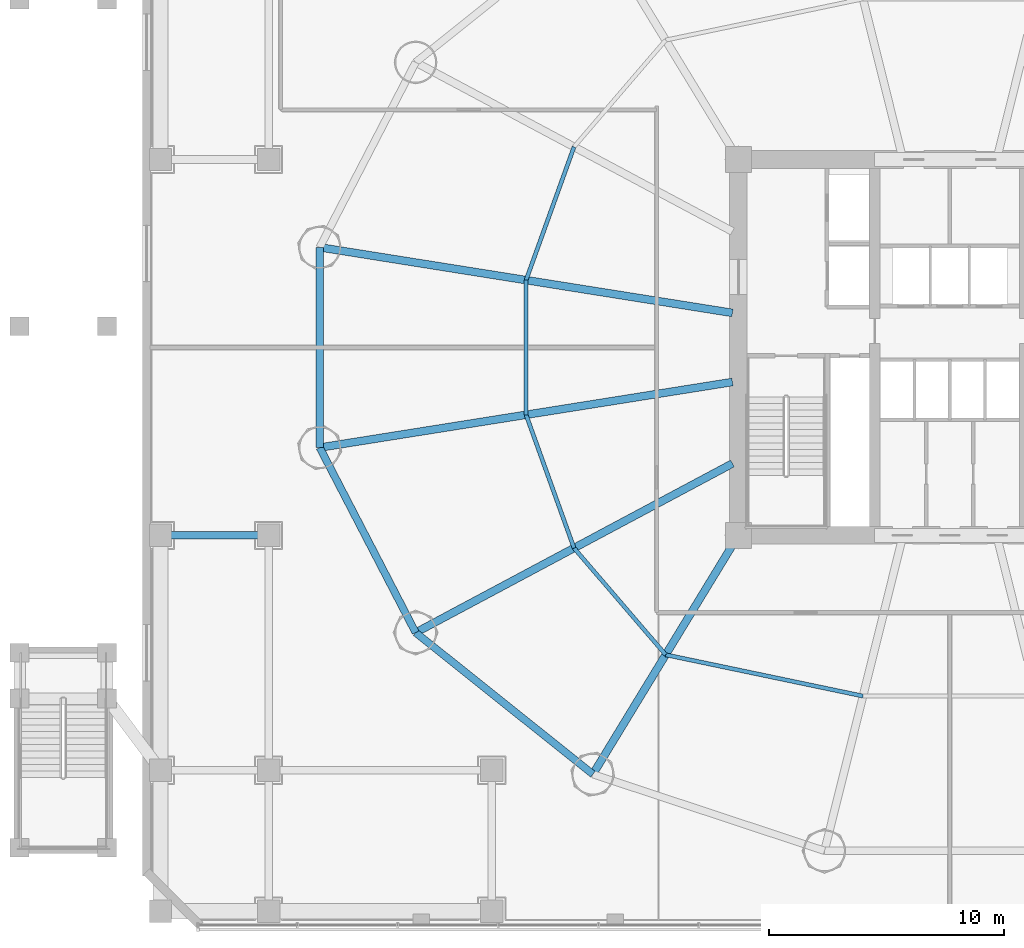
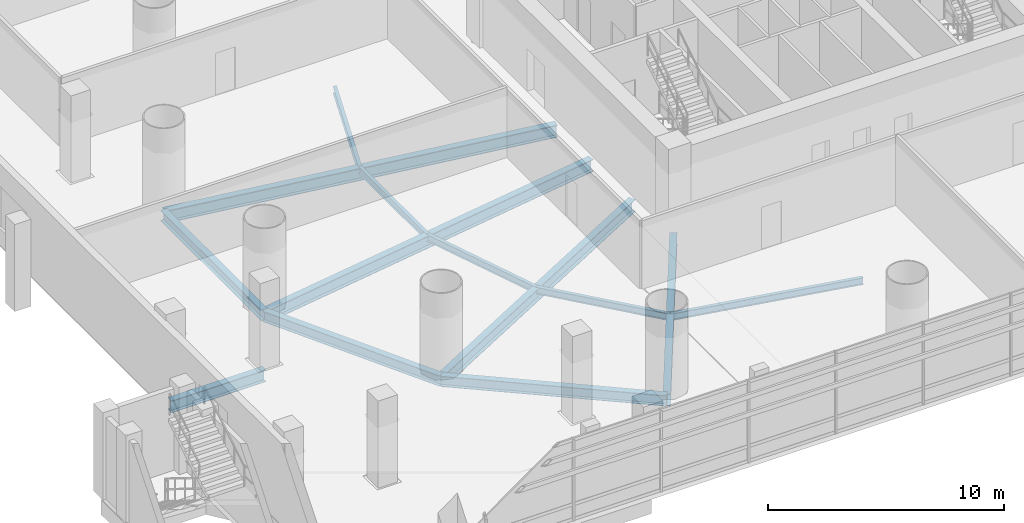
# One storey, part 5 of 36: 13 beams.
"""IFC4 building model written with IfcOpenShell, lengths in metres."""

from ifc_helpers import new_model, si_unit, direction, frame, origin, origin_2d, place, context, subcontext, project, spatial, i_section, extrude, material, material_profile, profile_set, type_object, element, save


model = new_model("IFC4")

# Units and contexts
model_context = context("Model", 3, precision=1e-05, world=origin(), true_north=direction((-0.2419218956, 0.970295726276)))
body_context = subcontext(model_context, "Body", "Model", "MODEL_VIEW")
ifc_project = project(units=[si_unit("LENGTHUNIT", "METRE"), si_unit("AREAUNIT", "SQUARE_METRE"), si_unit("VOLUMEUNIT", "CUBIC_METRE"), si_unit("PLANEANGLEUNIT", "RADIAN"), si_unit("MASSUNIT", "GRAM", prefix="KILO")], contexts=[model_context])

# Site, building, storey
site_placement = place(None, origin())
site = spatial("IfcSite", under=ifc_project, at=site_placement, CompositionType="ELEMENT")
building_placement = place(site_placement, origin())
building = spatial("IfcBuilding", under=site, at=building_placement, Name="Cobrevalo Terracotta Tower", CompositionType="ELEMENT")
storey_placement = place(building_placement, frame((0.0, 0.0, 9.89990234375)))
storey = spatial("IfcBuildingStorey", under=building, at=storey_placement, Name="L02", CompositionType="ELEMENT", Elevation=9.89990234375)

# Beams
ifc_material = material(Name="Steel S355", Category="steel")
ifc_material_profile_1 = material_profile(ifc_material, i_section(OverallWidth=0.324951171875, OverallDepth=0.615966796875, WebThickness=0.013916015625, FlangeThickness=0.021484375, at=origin_2d()), Name="W 610x174")
ifc_profile_set_1 = profile_set([ifc_material_profile_1], Name="Steel S355")
beam_type_1 = type_object("IfcBeamType", Name="Structural Beam W 610x174 (Steel S355)", PredefinedType="BEAM", material=ifc_profile_set_1)
beam_1_placement = place(storey_placement, frame((4.39990234375, 18.800048828125, -0.60791015625), z_axis=(1.0, 0.0, 0.0), x_axis=(0.0, 1.0, 0.0)))
element("IfcBeam", 1, at=beam_1_placement, inside=storey, type_object=beam_type_1, Name="L02 podium grid beam G1-GC to G2-GC", PredefinedType="BEAM", context=body_context, shape_type="SweptSolid", body=[
    extrude(i_section(OverallWidth=0.324951171875, OverallDepth=0.615966796875, WebThickness=0.013916015625, FlangeThickness=0.021484375, at=origin_2d()), origin(), (0.0, 0.0, 1.0), 4.60009765625),
])
ifc_material_profile_2 = material_profile(ifc_material, i_section(OverallWidth=0.3291015625, OverallDepth=0.635009765625, WebThickness=0.017822265625, FlangeThickness=0.031005859375, at=origin_2d()), Name="W 610x241")
ifc_profile_set_2 = profile_set([ifc_material_profile_2], Name="Steel S355")
beam_type_2 = type_object("IfcBeamType", Name="Structural Beam W 610x241 (Steel S355)", PredefinedType="BEAM", material=ifc_profile_set_2)
for number, where, z_axis, x_axis, name in (
    (2, (11.175537109375, 31.062744140625, -0.617431640625), (0.987607924622, -0.156941349628, 0.0), (0.156941349628, 0.987607924622, 0.0), "L02 radial floor girder 08"),
    (3, (11.175537109375, 22.537353515625, -0.617431640625), (0.987607924622, 0.156941349628, 0.0), (-0.156941349628, 0.987607924622, 0.0), "L02 radial floor girder 09"),
):
    element("IfcBeam", number, at=place(storey_placement, frame(where, z_axis=z_axis, x_axis=x_axis)), inside=storey, type_object=beam_type_2, Name=name, PredefinedType="BEAM", context=body_context, shape_type="SweptSolid", body=[
        extrude(i_section(OverallWidth=0.3291015625, OverallDepth=0.635009765625, WebThickness=0.017822265625, FlangeThickness=0.031005859375, at=origin_2d()), origin(), (0.0, 0.0, 1.0), 17.7900390625),
    ])
beam_2_placement = place(storey_placement, frame((15.25927734375, 14.660888671875, -0.617431640625), z_axis=(0.88218223571, 0.470908168329, 0.0), x_axis=(-0.470908168329, 0.88218223571, 0.0)))
element("IfcBeam", 4, at=beam_2_placement, inside=storey, type_object=beam_type_2, Name="L02 radial floor girder 10", PredefinedType="BEAM", context=body_context, shape_type="SweptSolid", body=[
    extrude(i_section(OverallWidth=0.3291015625, OverallDepth=0.635009765625, WebThickness=0.017822265625, FlangeThickness=0.031005859375, at=origin_2d()), origin(), (0.0, 0.0, 1.0), 15.286865234375),
])
beam_3_placement = place(storey_placement, frame((22.80517578125, 8.63232421875, -0.617431640625), z_axis=(0.520300780853, 0.853983077961, 0.0), x_axis=(-0.853983077961, 0.520300780853, 0.0)))
element("IfcBeam", 5, at=beam_3_placement, inside=storey, type_object=beam_type_2, Name="L02 radial floor girder 11", PredefinedType="BEAM", context=body_context, shape_type="SweptSolid", body=[
    extrude(i_section(OverallWidth=0.3291015625, OverallDepth=0.635009765625, WebThickness=0.017822265625, FlangeThickness=0.031005859375, at=origin_2d()), origin(), (0.0, 0.0, 1.0), 11.90625),
])
ifc_material_profile_3 = material_profile(ifc_material, i_section(OverallWidth=0.1708984375, OverallDepth=0.35498046875, WebThickness=0.007080078125, FlangeThickness=0.01171875, at=origin_2d()), Name="W 360x51")
ifc_profile_set_3 = profile_set([ifc_material_profile_3], Name="Steel S355")
beam_type_3 = type_object("IfcBeamType", Name="Structural Joist W 360x51 (Steel S355)", PredefinedType="JOIST", material=ifc_profile_set_3)
beam_4_placement = place(storey_placement, frame((22.002197265625, 35.33984375, -0.477294921875), z_axis=(-0.338672151116, -0.940904444701, 0.0), x_axis=(0.940904444701, -0.338672151116, 0.0)))
element("IfcBeam", 6, at=beam_4_placement, inside=storey, type_object=beam_type_3, Name="L02 circumferential secondary floor joist 07", PredefinedType="JOIST", context=body_context, shape_type="SweptSolid", body=[
    extrude(i_section(OverallWidth=0.1708984375, OverallDepth=0.35498046875, WebThickness=0.007080078125, FlangeThickness=0.01171875, at=origin_2d()), origin(), (0.0, 0.0, 1.0), 6.029296875),
])
beam_5_placement = place(storey_placement, frame((19.960205078125, 29.666748046875, -0.477294921875), z_axis=(0.0, -1.0, 0.0), x_axis=(1.0, 0.0, 0.0)))
element("IfcBeam", 7, at=beam_5_placement, inside=storey, type_object=beam_type_3, Name="L02 circumferential secondary floor joist 08", PredefinedType="JOIST", context=body_context, shape_type="SweptSolid", body=[
    extrude(i_section(OverallWidth=0.1708984375, OverallDepth=0.35498046875, WebThickness=0.007080078125, FlangeThickness=0.01171875, at=origin_2d()), origin(), (0.0, 0.0, 1.0), 5.7333984375),
])
beam_6_placement = place(storey_placement, frame((19.960205078125, 23.933349609375, -0.477294921875), z_axis=(0.338672151116, -0.940904444701, 0.0), x_axis=(0.940904444701, 0.338672151116, 0.0)))
element("IfcBeam", 8, at=beam_6_placement, inside=storey, type_object=beam_type_3, Name="L02 circumferential secondary floor joist 09", PredefinedType="JOIST", context=body_context, shape_type="SweptSolid", body=[
    extrude(i_section(OverallWidth=0.1708984375, OverallDepth=0.35498046875, WebThickness=0.007080078125, FlangeThickness=0.01171875, at=origin_2d()), origin(), (0.0, 0.0, 1.0), 6.029296875),
])
beam_7_placement = place(storey_placement, frame((22.002197265625, 18.26025390625, -0.477294921875), z_axis=(0.651328404454, -0.758795960421, 0.0), x_axis=(0.758795960421, 0.651328404454, 0.0)))
element("IfcBeam", 9, at=beam_7_placement, inside=storey, type_object=beam_type_3, Name="L02 circumferential secondary floor joist 10", PredefinedType="JOIST", context=body_context, shape_type="SweptSolid", body=[
    extrude(i_section(OverallWidth=0.1708984375, OverallDepth=0.35498046875, WebThickness=0.007080078125, FlangeThickness=0.01171875, at=origin_2d()), origin(), (0.0, 0.0, 1.0), 5.98828125),
])
beam_8_placement = place(storey_placement, frame((25.902587890625, 13.71630859375, -0.477294921875), z_axis=(0.978784523904, -0.204892302848, 0.0), x_axis=(0.204892302848, 0.978784523904, 0.0)))
element("IfcBeam", 10, at=beam_8_placement, inside=storey, type_object=beam_type_3, Name="L02 circumferential secondary floor joist 11", PredefinedType="JOIST", context=body_context, shape_type="SweptSolid", body=[
    extrude(i_section(OverallWidth=0.1708984375, OverallDepth=0.35498046875, WebThickness=0.007080078125, FlangeThickness=0.01171875, at=origin_2d()), origin(), (0.0, 0.0, 1.0), 8.583984375),
])
ifc_material_profile_4 = material_profile(ifc_material, i_section(OverallWidth=0.31201171875, OverallDepth=0.54296875, WebThickness=0.0126953125, FlangeThickness=0.020263671875, at=origin_2d()), Name="W 530x150")
ifc_profile_set_4 = profile_set([ifc_material_profile_4], Name="Steel S355")
beam_type_4 = type_object("IfcBeamType", Name="Structural Spandrel W 530x150 (Steel S355)", PredefinedType="SPANDREL", material=ifc_profile_set_4)
beam_9_placement = place(storey_placement, frame((11.175537109375, 31.062744140625, -0.5712890625), z_axis=(0.0, -1.0, 0.0), x_axis=(1.0, 0.0, 0.0)))
element("IfcBeam", 11, at=beam_9_placement, inside=storey, type_object=beam_type_4, Name="L02 perimeter ring spandrel 08", PredefinedType="SPANDREL", context=body_context, shape_type="SweptSolid", body=[
    extrude(i_section(OverallWidth=0.31201171875, OverallDepth=0.54296875, WebThickness=0.0126953125, FlangeThickness=0.020263671875, at=origin_2d()), origin(), (0.0, 0.0, 1.0), 8.525390625),
])
beam_10_placement = place(storey_placement, frame((11.175537109375, 22.537353515625, -0.5712890625), z_axis=(0.460285838799, -0.88777077368, 0.0), x_axis=(0.88777077368, 0.460285838799, 0.0)))
element("IfcBeam", 12, at=beam_10_placement, inside=storey, type_object=beam_type_4, Name="L02 perimeter ring spandrel 09", PredefinedType="SPANDREL", context=body_context, shape_type="SweptSolid", body=[
    extrude(i_section(OverallWidth=0.31201171875, OverallDepth=0.54296875, WebThickness=0.0126953125, FlangeThickness=0.020263671875, at=origin_2d()), origin(), (0.0, 0.0, 1.0), 8.8720703125),
])
beam_11_placement = place(storey_placement, frame((15.25927734375, 14.660888671875, -0.5712890625), z_axis=(0.781280479891, -0.62418011162, 0.0), x_axis=(0.62418011162, 0.781280479891, 0.0)))
element("IfcBeam", 13, at=beam_11_placement, inside=storey, type_object=beam_type_4, Name="L02 perimeter ring spandrel 10", PredefinedType="SPANDREL", context=body_context, shape_type="SweptSolid", body=[
    extrude(i_section(OverallWidth=0.31201171875, OverallDepth=0.54296875, WebThickness=0.0126953125, FlangeThickness=0.020263671875, at=origin_2d()), origin(), (0.0, 0.0, 1.0), 9.658447265625),
])

save(model, "model.ifc")
